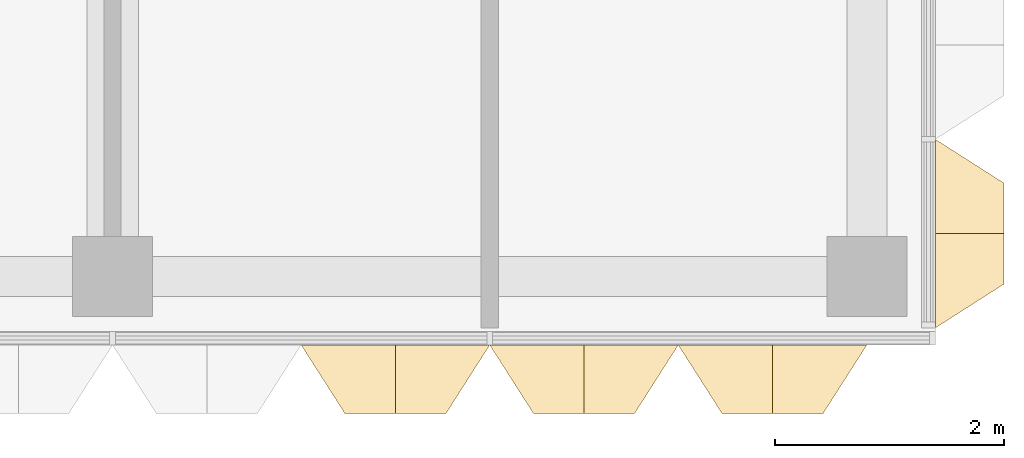
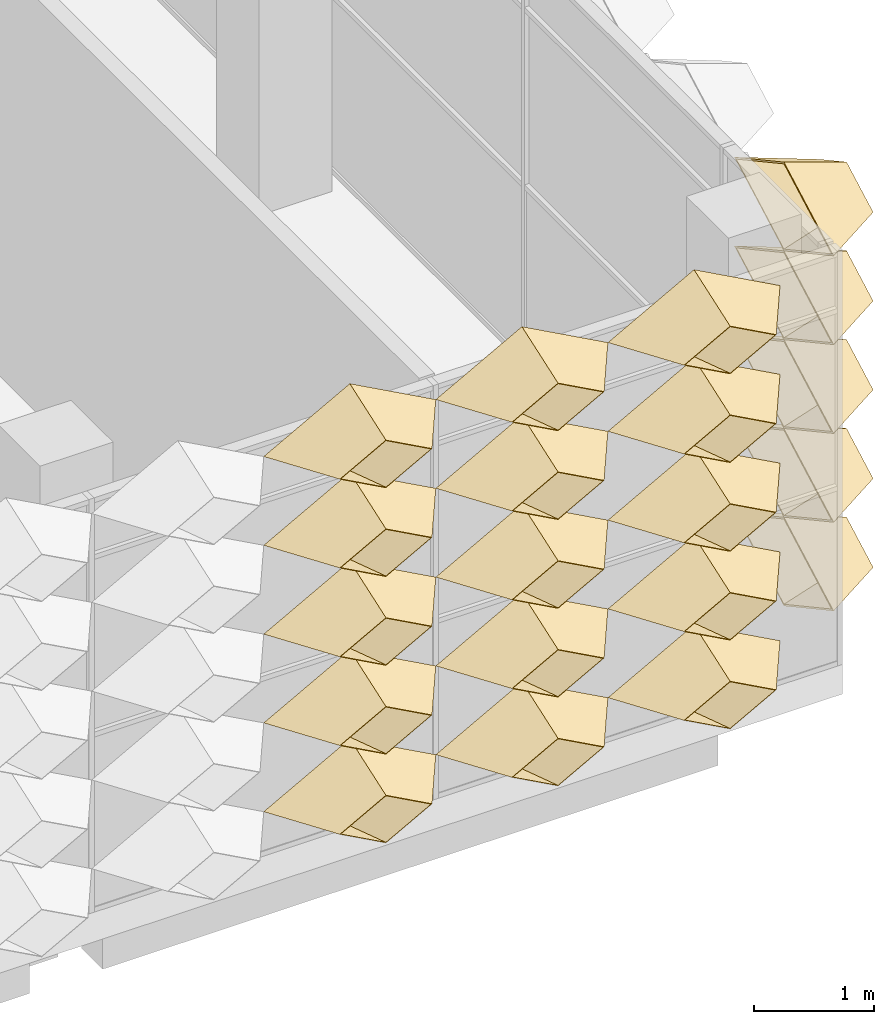
# One storey, part 16 of 28: 20 coverings.
"""IFC4 building model written with IfcOpenShell, lengths in metres."""

from ifc_helpers import new_model, entity, si_unit, direction, frame, origin, place, context, subcontext, project, spatial, material, layer, layer_set, type_object, element, save


model = new_model("IFC4")

# Units and contexts
model_context = context("Model", 3, precision=1e-05, world=origin(), true_north=direction((0.0, 1.0)))
body_context = subcontext(model_context, "Body", "Model", "MODEL_VIEW")
ifc_project = project(units=[si_unit("LENGTHUNIT", "METRE"), si_unit("AREAUNIT", "SQUARE_METRE"), si_unit("VOLUMEUNIT", "CUBIC_METRE"), si_unit("PLANEANGLEUNIT", "RADIAN"), si_unit("MASSUNIT", "GRAM", prefix="KILO")], contexts=[model_context])

# Site, building, storey
site_placement = place(None, origin())
site = spatial("IfcSite", under=ifc_project, at=site_placement, CompositionType="ELEMENT")
building_placement = place(site_placement, origin())
building = spatial("IfcBuilding", under=site, at=building_placement, Name="Lantern Court Research Institute", CompositionType="ELEMENT")
storey_placement = place(building_placement, frame((0.0, 0.0, 36.89990234375)))
storey = spatial("IfcBuildingStorey", under=building, at=storey_placement, Name="L08", CompositionType="ELEMENT", Elevation=36.89990234375)

# Coverings
ifc_material = material(Name="Anodised aluminium", Category="aluminium")
ifc_layer = layer(ifc_material, 0.01611328125)
ifc_layer_set = layer_set([ifc_layer], Name="Anodised aluminium")
covering_type = type_object("IfcCoveringType", Name="Fin cassette 1650 x 900 x 600 aluminium", PredefinedType="CLADDING", material=ifc_layer_set)
covering_1_placement = place(storey_placement, frame((79.800048828125, -7.425048828125, 0.4501953125), z_axis=(1.0, 0.0, 0.0), x_axis=(0.0, 1.0, 0.0)))
cartesian_point_1 = entity("IfcCartesianPoint", [0.824951171875, 0.0])
cartesian_point_2 = entity("IfcCartesianPoint", [0.79150390625, 0.0])
cartesian_point_3 = entity("IfcCartesianPoint", [0.44189453125, 0.0])
cartesian_point_4 = entity("IfcCartesianPoint", [0.43359375, 0.0])
element("IfcCovering", 1, at=covering_1_placement, inside=storey, type_object=covering_type, Name="Fin cassette V5E-L08 1.-4", PredefinedType="CLADDING", context=body_context, shape_type="SweptSolid", body=[
    entity("IfcExtrudedAreaSolidTapered", entity("IfcArbitraryProfileDefWithVoids", "AREA", None, entity("IfcPolyline", [cartesian_point_1, entity("IfcCartesianPoint", [0.0, 0.449951171875]), entity("IfcCartesianPoint", [-0.824951171875, 0.0]), entity("IfcCartesianPoint", [0.0, -0.449951171875]), cartesian_point_1]), [entity("IfcPolyline", [cartesian_point_2, entity("IfcCartesianPoint", [0.0, 0.431884765625]), entity("IfcCartesianPoint", [-0.79150390625, 0.0]), entity("IfcCartesianPoint", [0.0, -0.431884765625]), cartesian_point_2])]), entity("IfcAxis2Placement3D", entity("IfcCartesianPoint", [0.0, 0.0, 0.0])), entity("IfcDirection", [0.0, 0.0, 1.0]), 0.60009765625, entity("IfcArbitraryProfileDefWithVoids", "AREA", None, entity("IfcPolyline", [cartesian_point_3, entity("IfcCartesianPoint", [0.0, 0.240966796875]), entity("IfcCartesianPoint", [-0.44189453125, 0.0]), entity("IfcCartesianPoint", [0.0, -0.240966796875]), cartesian_point_3]), [entity("IfcPolyline", [cartesian_point_4, entity("IfcCartesianPoint", [0.0, 0.236572265625]), entity("IfcCartesianPoint", [-0.43359375, 0.0]), entity("IfcCartesianPoint", [0.0, -0.236572265625]), cartesian_point_4])])),
])
covering_2_placement = place(storey_placement, frame((79.800048828125, -7.425048828125, 1.35009765625), z_axis=(1.0, 0.0, 0.0), x_axis=(0.0, 1.0, 0.0)))
cartesian_point_5 = entity("IfcCartesianPoint", [0.824951171875, 0.0])
cartesian_point_6 = entity("IfcCartesianPoint", [0.79150390625, 0.0])
cartesian_point_7 = entity("IfcCartesianPoint", [0.44189453125, 0.0])
cartesian_point_8 = entity("IfcCartesianPoint", [0.43359375, 0.0])
element("IfcCovering", 2, at=covering_2_placement, inside=storey, type_object=covering_type, Name="Fin cassette V5E-L08 2.-4", PredefinedType="CLADDING", context=body_context, shape_type="SweptSolid", body=[
    entity("IfcExtrudedAreaSolidTapered", entity("IfcArbitraryProfileDefWithVoids", "AREA", None, entity("IfcPolyline", [cartesian_point_5, entity("IfcCartesianPoint", [0.0, 0.449951171875]), entity("IfcCartesianPoint", [-0.824951171875, 0.0]), entity("IfcCartesianPoint", [0.0, -0.449951171875]), cartesian_point_5]), [entity("IfcPolyline", [cartesian_point_6, entity("IfcCartesianPoint", [0.0, 0.431884765625]), entity("IfcCartesianPoint", [-0.79150390625, 0.0]), entity("IfcCartesianPoint", [0.0, -0.431884765625]), cartesian_point_6])]), entity("IfcAxis2Placement3D", entity("IfcCartesianPoint", [0.0, 0.0, 0.0])), entity("IfcDirection", [0.0, 0.0, 1.0]), 0.60009765625, entity("IfcArbitraryProfileDefWithVoids", "AREA", None, entity("IfcPolyline", [cartesian_point_7, entity("IfcCartesianPoint", [0.0, 0.240966796875]), entity("IfcCartesianPoint", [-0.44189453125, 0.0]), entity("IfcCartesianPoint", [0.0, -0.240966796875]), cartesian_point_7]), [entity("IfcPolyline", [cartesian_point_8, entity("IfcCartesianPoint", [0.0, 0.236572265625]), entity("IfcCartesianPoint", [-0.43359375, 0.0]), entity("IfcCartesianPoint", [0.0, -0.236572265625]), cartesian_point_8])])),
])
covering_3_placement = place(storey_placement, frame((79.800048828125, -7.425048828125, 2.25), z_axis=(1.0, 0.0, 0.0), x_axis=(0.0, 1.0, 0.0)))
cartesian_point_9 = entity("IfcCartesianPoint", [0.824951171875, 0.0])
cartesian_point_10 = entity("IfcCartesianPoint", [0.79150390625, 0.0])
cartesian_point_11 = entity("IfcCartesianPoint", [0.44189453125, 0.0])
cartesian_point_12 = entity("IfcCartesianPoint", [0.43359375, 0.0])
element("IfcCovering", 3, at=covering_3_placement, inside=storey, type_object=covering_type, Name="Fin cassette V5E-L08 3.-4", PredefinedType="CLADDING", context=body_context, shape_type="SweptSolid", body=[
    entity("IfcExtrudedAreaSolidTapered", entity("IfcArbitraryProfileDefWithVoids", "AREA", None, entity("IfcPolyline", [cartesian_point_9, entity("IfcCartesianPoint", [0.0, 0.449951171875]), entity("IfcCartesianPoint", [-0.824951171875, 0.0]), entity("IfcCartesianPoint", [0.0, -0.449951171875]), cartesian_point_9]), [entity("IfcPolyline", [cartesian_point_10, entity("IfcCartesianPoint", [0.0, 0.431884765625]), entity("IfcCartesianPoint", [-0.79150390625, 0.0]), entity("IfcCartesianPoint", [0.0, -0.431884765625]), cartesian_point_10])]), entity("IfcAxis2Placement3D", entity("IfcCartesianPoint", [0.0, 0.0, 0.0])), entity("IfcDirection", [0.0, 0.0, 1.0]), 0.60009765625, entity("IfcArbitraryProfileDefWithVoids", "AREA", None, entity("IfcPolyline", [cartesian_point_11, entity("IfcCartesianPoint", [0.0, 0.240966796875]), entity("IfcCartesianPoint", [-0.44189453125, 0.0]), entity("IfcCartesianPoint", [0.0, -0.240966796875]), cartesian_point_11]), [entity("IfcPolyline", [cartesian_point_12, entity("IfcCartesianPoint", [0.0, 0.236572265625]), entity("IfcCartesianPoint", [-0.43359375, 0.0]), entity("IfcCartesianPoint", [0.0, -0.236572265625]), cartesian_point_12])])),
])
covering_4_placement = place(storey_placement, frame((79.800048828125, -7.425048828125, 3.150146484375), z_axis=(1.0, 0.0, 0.0), x_axis=(0.0, 1.0, 0.0)))
cartesian_point_13 = entity("IfcCartesianPoint", [0.824951171875, 0.0])
cartesian_point_14 = entity("IfcCartesianPoint", [0.79150390625, 0.0])
cartesian_point_15 = entity("IfcCartesianPoint", [0.44189453125, 0.0])
cartesian_point_16 = entity("IfcCartesianPoint", [0.43359375, 0.0])
element("IfcCovering", 4, at=covering_4_placement, inside=storey, type_object=covering_type, Name="Fin cassette V5E-L08 4.-4", PredefinedType="CLADDING", context=body_context, shape_type="SweptSolid", body=[
    entity("IfcExtrudedAreaSolidTapered", entity("IfcArbitraryProfileDefWithVoids", "AREA", None, entity("IfcPolyline", [cartesian_point_13, entity("IfcCartesianPoint", [0.0, 0.449951171875]), entity("IfcCartesianPoint", [-0.824951171875, 0.0]), entity("IfcCartesianPoint", [0.0, -0.449951171875]), cartesian_point_13]), [entity("IfcPolyline", [cartesian_point_14, entity("IfcCartesianPoint", [0.0, 0.431884765625]), entity("IfcCartesianPoint", [-0.79150390625, 0.0]), entity("IfcCartesianPoint", [0.0, -0.431884765625]), cartesian_point_14])]), entity("IfcAxis2Placement3D", entity("IfcCartesianPoint", [0.0, 0.0, 0.0])), entity("IfcDirection", [0.0, 0.0, 1.0]), 0.60009765625, entity("IfcArbitraryProfileDefWithVoids", "AREA", None, entity("IfcPolyline", [cartesian_point_15, entity("IfcCartesianPoint", [0.0, 0.240966796875]), entity("IfcCartesianPoint", [-0.44189453125, 0.0]), entity("IfcCartesianPoint", [0.0, -0.240966796875]), cartesian_point_15]), [entity("IfcPolyline", [cartesian_point_16, entity("IfcCartesianPoint", [0.0, 0.236572265625]), entity("IfcCartesianPoint", [-0.43359375, 0.0]), entity("IfcCartesianPoint", [0.0, -0.236572265625]), cartesian_point_16])])),
])
covering_5_placement = place(storey_placement, frame((79.800048828125, -7.425048828125, 4.050048828125), z_axis=(1.0, 0.0, 0.0), x_axis=(0.0, 1.0, 0.0)))
cartesian_point_17 = entity("IfcCartesianPoint", [0.824951171875, 0.0])
cartesian_point_18 = entity("IfcCartesianPoint", [0.79150390625, 0.0])
cartesian_point_19 = entity("IfcCartesianPoint", [0.44189453125, 0.0])
cartesian_point_20 = entity("IfcCartesianPoint", [0.43359375, 0.0])
element("IfcCovering", 5, at=covering_5_placement, inside=storey, type_object=covering_type, Name="Fin cassette V5E-L08 5.-4", PredefinedType="CLADDING", context=body_context, shape_type="SweptSolid", body=[
    entity("IfcExtrudedAreaSolidTapered", entity("IfcArbitraryProfileDefWithVoids", "AREA", None, entity("IfcPolyline", [cartesian_point_17, entity("IfcCartesianPoint", [0.0, 0.449951171875]), entity("IfcCartesianPoint", [-0.824951171875, 0.0]), entity("IfcCartesianPoint", [0.0, -0.449951171875]), cartesian_point_17]), [entity("IfcPolyline", [cartesian_point_18, entity("IfcCartesianPoint", [0.0, 0.431884765625]), entity("IfcCartesianPoint", [-0.79150390625, 0.0]), entity("IfcCartesianPoint", [0.0, -0.431884765625]), cartesian_point_18])]), entity("IfcAxis2Placement3D", entity("IfcCartesianPoint", [0.0, 0.0, 0.0])), entity("IfcDirection", [0.0, 0.0, 1.0]), 0.60009765625, entity("IfcArbitraryProfileDefWithVoids", "AREA", None, entity("IfcPolyline", [cartesian_point_19, entity("IfcCartesianPoint", [0.0, 0.240966796875]), entity("IfcCartesianPoint", [-0.44189453125, 0.0]), entity("IfcCartesianPoint", [0.0, -0.240966796875]), cartesian_point_19]), [entity("IfcPolyline", [cartesian_point_20, entity("IfcCartesianPoint", [0.0, 0.236572265625]), entity("IfcCartesianPoint", [-0.43359375, 0.0]), entity("IfcCartesianPoint", [0.0, -0.236572265625]), cartesian_point_20])])),
])
covering_6_placement = place(storey_placement, frame((75.074951171875, -8.39990234375, 0.4501953125), z_axis=(0.0, -1.0, 0.0), x_axis=(1.0, 0.0, 0.0)))
cartesian_point_21 = entity("IfcCartesianPoint", [0.824951171875, 0.0])
cartesian_point_22 = entity("IfcCartesianPoint", [0.79150390625, 0.0])
cartesian_point_23 = entity("IfcCartesianPoint", [0.44189453125, 0.0])
cartesian_point_24 = entity("IfcCartesianPoint", [0.43359375, 0.0])
element("IfcCovering", 6, at=covering_6_placement, inside=storey, type_object=covering_type, Name="Fin cassette V5S-L08 1.46", PredefinedType="CLADDING", context=body_context, shape_type="SweptSolid", body=[
    entity("IfcExtrudedAreaSolidTapered", entity("IfcArbitraryProfileDefWithVoids", "AREA", None, entity("IfcPolyline", [cartesian_point_21, entity("IfcCartesianPoint", [0.0, 0.449951171875]), entity("IfcCartesianPoint", [-0.824951171875, 0.0]), entity("IfcCartesianPoint", [0.0, -0.449951171875]), cartesian_point_21]), [entity("IfcPolyline", [cartesian_point_22, entity("IfcCartesianPoint", [0.0, 0.431884765625]), entity("IfcCartesianPoint", [-0.79150390625, 0.0]), entity("IfcCartesianPoint", [0.0, -0.431884765625]), cartesian_point_22])]), entity("IfcAxis2Placement3D", entity("IfcCartesianPoint", [0.0, 0.0, 0.0])), entity("IfcDirection", [0.0, 0.0, 1.0]), 0.60009765625, entity("IfcArbitraryProfileDefWithVoids", "AREA", None, entity("IfcPolyline", [cartesian_point_23, entity("IfcCartesianPoint", [0.0, 0.240966796875]), entity("IfcCartesianPoint", [-0.44189453125, 0.0]), entity("IfcCartesianPoint", [0.0, -0.240966796875]), cartesian_point_23]), [entity("IfcPolyline", [cartesian_point_24, entity("IfcCartesianPoint", [0.0, 0.236572265625]), entity("IfcCartesianPoint", [-0.43359375, 0.0]), entity("IfcCartesianPoint", [0.0, -0.236572265625]), cartesian_point_24])])),
])
covering_7_placement = place(storey_placement, frame((76.72509765625, -8.39990234375, 0.4501953125), z_axis=(0.0, -1.0, 0.0), x_axis=(1.0, 0.0, 0.0)))
cartesian_point_25 = entity("IfcCartesianPoint", [0.824951171875, 0.0])
cartesian_point_26 = entity("IfcCartesianPoint", [0.79150390625, 0.0])
cartesian_point_27 = entity("IfcCartesianPoint", [0.44189453125, 0.0])
cartesian_point_28 = entity("IfcCartesianPoint", [0.43359375, 0.0])
element("IfcCovering", 7, at=covering_7_placement, inside=storey, type_object=covering_type, Name="Fin cassette V5S-L08 1.47", PredefinedType="CLADDING", context=body_context, shape_type="SweptSolid", body=[
    entity("IfcExtrudedAreaSolidTapered", entity("IfcArbitraryProfileDefWithVoids", "AREA", None, entity("IfcPolyline", [cartesian_point_25, entity("IfcCartesianPoint", [0.0, 0.449951171875]), entity("IfcCartesianPoint", [-0.824951171875, 0.0]), entity("IfcCartesianPoint", [0.0, -0.449951171875]), cartesian_point_25]), [entity("IfcPolyline", [cartesian_point_26, entity("IfcCartesianPoint", [0.0, 0.431884765625]), entity("IfcCartesianPoint", [-0.79150390625, 0.0]), entity("IfcCartesianPoint", [0.0, -0.431884765625]), cartesian_point_26])]), entity("IfcAxis2Placement3D", entity("IfcCartesianPoint", [0.0, 0.0, 0.0])), entity("IfcDirection", [0.0, 0.0, 1.0]), 0.60009765625, entity("IfcArbitraryProfileDefWithVoids", "AREA", None, entity("IfcPolyline", [cartesian_point_27, entity("IfcCartesianPoint", [0.0, 0.240966796875]), entity("IfcCartesianPoint", [-0.44189453125, 0.0]), entity("IfcCartesianPoint", [0.0, -0.240966796875]), cartesian_point_27]), [entity("IfcPolyline", [cartesian_point_28, entity("IfcCartesianPoint", [0.0, 0.236572265625]), entity("IfcCartesianPoint", [-0.43359375, 0.0]), entity("IfcCartesianPoint", [0.0, -0.236572265625]), cartesian_point_28])])),
])
covering_8_placement = place(storey_placement, frame((78.375, -8.39990234375, 0.4501953125), z_axis=(0.0, -1.0, 0.0), x_axis=(1.0, 0.0, 0.0)))
cartesian_point_29 = entity("IfcCartesianPoint", [0.824951171875, 0.0])
cartesian_point_30 = entity("IfcCartesianPoint", [0.79150390625, 0.0])
cartesian_point_31 = entity("IfcCartesianPoint", [0.44189453125, 0.0])
cartesian_point_32 = entity("IfcCartesianPoint", [0.43359375, 0.0])
element("IfcCovering", 8, at=covering_8_placement, inside=storey, type_object=covering_type, Name="Fin cassette V5S-L08 1.48", PredefinedType="CLADDING", context=body_context, shape_type="SweptSolid", body=[
    entity("IfcExtrudedAreaSolidTapered", entity("IfcArbitraryProfileDefWithVoids", "AREA", None, entity("IfcPolyline", [cartesian_point_29, entity("IfcCartesianPoint", [0.0, 0.449951171875]), entity("IfcCartesianPoint", [-0.824951171875, 0.0]), entity("IfcCartesianPoint", [0.0, -0.449951171875]), cartesian_point_29]), [entity("IfcPolyline", [cartesian_point_30, entity("IfcCartesianPoint", [0.0, 0.431884765625]), entity("IfcCartesianPoint", [-0.79150390625, 0.0]), entity("IfcCartesianPoint", [0.0, -0.431884765625]), cartesian_point_30])]), entity("IfcAxis2Placement3D", entity("IfcCartesianPoint", [0.0, 0.0, 0.0])), entity("IfcDirection", [0.0, 0.0, 1.0]), 0.60009765625, entity("IfcArbitraryProfileDefWithVoids", "AREA", None, entity("IfcPolyline", [cartesian_point_31, entity("IfcCartesianPoint", [0.0, 0.240966796875]), entity("IfcCartesianPoint", [-0.44189453125, 0.0]), entity("IfcCartesianPoint", [0.0, -0.240966796875]), cartesian_point_31]), [entity("IfcPolyline", [cartesian_point_32, entity("IfcCartesianPoint", [0.0, 0.236572265625]), entity("IfcCartesianPoint", [-0.43359375, 0.0]), entity("IfcCartesianPoint", [0.0, -0.236572265625]), cartesian_point_32])])),
])
covering_9_placement = place(storey_placement, frame((75.074951171875, -8.39990234375, 1.35009765625), z_axis=(0.0, -1.0, 0.0), x_axis=(1.0, 0.0, 0.0)))
cartesian_point_33 = entity("IfcCartesianPoint", [0.824951171875, 0.0])
cartesian_point_34 = entity("IfcCartesianPoint", [0.79150390625, 0.0])
cartesian_point_35 = entity("IfcCartesianPoint", [0.44189453125, 0.0])
cartesian_point_36 = entity("IfcCartesianPoint", [0.43359375, 0.0])
element("IfcCovering", 9, at=covering_9_placement, inside=storey, type_object=covering_type, Name="Fin cassette V5S-L08 2.46", PredefinedType="CLADDING", context=body_context, shape_type="SweptSolid", body=[
    entity("IfcExtrudedAreaSolidTapered", entity("IfcArbitraryProfileDefWithVoids", "AREA", None, entity("IfcPolyline", [cartesian_point_33, entity("IfcCartesianPoint", [0.0, 0.449951171875]), entity("IfcCartesianPoint", [-0.824951171875, 0.0]), entity("IfcCartesianPoint", [0.0, -0.449951171875]), cartesian_point_33]), [entity("IfcPolyline", [cartesian_point_34, entity("IfcCartesianPoint", [0.0, 0.431884765625]), entity("IfcCartesianPoint", [-0.79150390625, 0.0]), entity("IfcCartesianPoint", [0.0, -0.431884765625]), cartesian_point_34])]), entity("IfcAxis2Placement3D", entity("IfcCartesianPoint", [0.0, 0.0, 0.0])), entity("IfcDirection", [0.0, 0.0, 1.0]), 0.60009765625, entity("IfcArbitraryProfileDefWithVoids", "AREA", None, entity("IfcPolyline", [cartesian_point_35, entity("IfcCartesianPoint", [0.0, 0.240966796875]), entity("IfcCartesianPoint", [-0.44189453125, 0.0]), entity("IfcCartesianPoint", [0.0, -0.240966796875]), cartesian_point_35]), [entity("IfcPolyline", [cartesian_point_36, entity("IfcCartesianPoint", [0.0, 0.236572265625]), entity("IfcCartesianPoint", [-0.43359375, 0.0]), entity("IfcCartesianPoint", [0.0, -0.236572265625]), cartesian_point_36])])),
])
covering_10_placement = place(storey_placement, frame((76.72509765625, -8.39990234375, 1.35009765625), z_axis=(0.0, -1.0, 0.0), x_axis=(1.0, 0.0, 0.0)))
cartesian_point_37 = entity("IfcCartesianPoint", [0.824951171875, 0.0])
cartesian_point_38 = entity("IfcCartesianPoint", [0.79150390625, 0.0])
cartesian_point_39 = entity("IfcCartesianPoint", [0.44189453125, 0.0])
cartesian_point_40 = entity("IfcCartesianPoint", [0.43359375, 0.0])
element("IfcCovering", 10, at=covering_10_placement, inside=storey, type_object=covering_type, Name="Fin cassette V5S-L08 2.47", PredefinedType="CLADDING", context=body_context, shape_type="SweptSolid", body=[
    entity("IfcExtrudedAreaSolidTapered", entity("IfcArbitraryProfileDefWithVoids", "AREA", None, entity("IfcPolyline", [cartesian_point_37, entity("IfcCartesianPoint", [0.0, 0.449951171875]), entity("IfcCartesianPoint", [-0.824951171875, 0.0]), entity("IfcCartesianPoint", [0.0, -0.449951171875]), cartesian_point_37]), [entity("IfcPolyline", [cartesian_point_38, entity("IfcCartesianPoint", [0.0, 0.431884765625]), entity("IfcCartesianPoint", [-0.79150390625, 0.0]), entity("IfcCartesianPoint", [0.0, -0.431884765625]), cartesian_point_38])]), entity("IfcAxis2Placement3D", entity("IfcCartesianPoint", [0.0, 0.0, 0.0])), entity("IfcDirection", [0.0, 0.0, 1.0]), 0.60009765625, entity("IfcArbitraryProfileDefWithVoids", "AREA", None, entity("IfcPolyline", [cartesian_point_39, entity("IfcCartesianPoint", [0.0, 0.240966796875]), entity("IfcCartesianPoint", [-0.44189453125, 0.0]), entity("IfcCartesianPoint", [0.0, -0.240966796875]), cartesian_point_39]), [entity("IfcPolyline", [cartesian_point_40, entity("IfcCartesianPoint", [0.0, 0.236572265625]), entity("IfcCartesianPoint", [-0.43359375, 0.0]), entity("IfcCartesianPoint", [0.0, -0.236572265625]), cartesian_point_40])])),
])
covering_11_placement = place(storey_placement, frame((78.375, -8.39990234375, 1.35009765625), z_axis=(0.0, -1.0, 0.0), x_axis=(1.0, 0.0, 0.0)))
cartesian_point_41 = entity("IfcCartesianPoint", [0.824951171875, 0.0])
cartesian_point_42 = entity("IfcCartesianPoint", [0.79150390625, 0.0])
cartesian_point_43 = entity("IfcCartesianPoint", [0.44189453125, 0.0])
cartesian_point_44 = entity("IfcCartesianPoint", [0.43359375, 0.0])
element("IfcCovering", 11, at=covering_11_placement, inside=storey, type_object=covering_type, Name="Fin cassette V5S-L08 2.48", PredefinedType="CLADDING", context=body_context, shape_type="SweptSolid", body=[
    entity("IfcExtrudedAreaSolidTapered", entity("IfcArbitraryProfileDefWithVoids", "AREA", None, entity("IfcPolyline", [cartesian_point_41, entity("IfcCartesianPoint", [0.0, 0.449951171875]), entity("IfcCartesianPoint", [-0.824951171875, 0.0]), entity("IfcCartesianPoint", [0.0, -0.449951171875]), cartesian_point_41]), [entity("IfcPolyline", [cartesian_point_42, entity("IfcCartesianPoint", [0.0, 0.431884765625]), entity("IfcCartesianPoint", [-0.79150390625, 0.0]), entity("IfcCartesianPoint", [0.0, -0.431884765625]), cartesian_point_42])]), entity("IfcAxis2Placement3D", entity("IfcCartesianPoint", [0.0, 0.0, 0.0])), entity("IfcDirection", [0.0, 0.0, 1.0]), 0.60009765625, entity("IfcArbitraryProfileDefWithVoids", "AREA", None, entity("IfcPolyline", [cartesian_point_43, entity("IfcCartesianPoint", [0.0, 0.240966796875]), entity("IfcCartesianPoint", [-0.44189453125, 0.0]), entity("IfcCartesianPoint", [0.0, -0.240966796875]), cartesian_point_43]), [entity("IfcPolyline", [cartesian_point_44, entity("IfcCartesianPoint", [0.0, 0.236572265625]), entity("IfcCartesianPoint", [-0.43359375, 0.0]), entity("IfcCartesianPoint", [0.0, -0.236572265625]), cartesian_point_44])])),
])
covering_12_placement = place(storey_placement, frame((75.074951171875, -8.39990234375, 2.25), z_axis=(0.0, -1.0, 0.0), x_axis=(1.0, 0.0, 0.0)))
cartesian_point_45 = entity("IfcCartesianPoint", [0.824951171875, 0.0])
cartesian_point_46 = entity("IfcCartesianPoint", [0.79150390625, 0.0])
cartesian_point_47 = entity("IfcCartesianPoint", [0.44189453125, 0.0])
cartesian_point_48 = entity("IfcCartesianPoint", [0.43359375, 0.0])
element("IfcCovering", 12, at=covering_12_placement, inside=storey, type_object=covering_type, Name="Fin cassette V5S-L08 3.46", PredefinedType="CLADDING", context=body_context, shape_type="SweptSolid", body=[
    entity("IfcExtrudedAreaSolidTapered", entity("IfcArbitraryProfileDefWithVoids", "AREA", None, entity("IfcPolyline", [cartesian_point_45, entity("IfcCartesianPoint", [0.0, 0.449951171875]), entity("IfcCartesianPoint", [-0.824951171875, 0.0]), entity("IfcCartesianPoint", [0.0, -0.449951171875]), cartesian_point_45]), [entity("IfcPolyline", [cartesian_point_46, entity("IfcCartesianPoint", [0.0, 0.431884765625]), entity("IfcCartesianPoint", [-0.79150390625, 0.0]), entity("IfcCartesianPoint", [0.0, -0.431884765625]), cartesian_point_46])]), entity("IfcAxis2Placement3D", entity("IfcCartesianPoint", [0.0, 0.0, 0.0])), entity("IfcDirection", [0.0, 0.0, 1.0]), 0.60009765625, entity("IfcArbitraryProfileDefWithVoids", "AREA", None, entity("IfcPolyline", [cartesian_point_47, entity("IfcCartesianPoint", [0.0, 0.240966796875]), entity("IfcCartesianPoint", [-0.44189453125, 0.0]), entity("IfcCartesianPoint", [0.0, -0.240966796875]), cartesian_point_47]), [entity("IfcPolyline", [cartesian_point_48, entity("IfcCartesianPoint", [0.0, 0.236572265625]), entity("IfcCartesianPoint", [-0.43359375, 0.0]), entity("IfcCartesianPoint", [0.0, -0.236572265625]), cartesian_point_48])])),
])
covering_13_placement = place(storey_placement, frame((76.72509765625, -8.39990234375, 2.25), z_axis=(0.0, -1.0, 0.0), x_axis=(1.0, 0.0, 0.0)))
cartesian_point_49 = entity("IfcCartesianPoint", [0.824951171875, 0.0])
cartesian_point_50 = entity("IfcCartesianPoint", [0.79150390625, 0.0])
cartesian_point_51 = entity("IfcCartesianPoint", [0.44189453125, 0.0])
cartesian_point_52 = entity("IfcCartesianPoint", [0.43359375, 0.0])
element("IfcCovering", 13, at=covering_13_placement, inside=storey, type_object=covering_type, Name="Fin cassette V5S-L08 3.47", PredefinedType="CLADDING", context=body_context, shape_type="SweptSolid", body=[
    entity("IfcExtrudedAreaSolidTapered", entity("IfcArbitraryProfileDefWithVoids", "AREA", None, entity("IfcPolyline", [cartesian_point_49, entity("IfcCartesianPoint", [0.0, 0.449951171875]), entity("IfcCartesianPoint", [-0.824951171875, 0.0]), entity("IfcCartesianPoint", [0.0, -0.449951171875]), cartesian_point_49]), [entity("IfcPolyline", [cartesian_point_50, entity("IfcCartesianPoint", [0.0, 0.431884765625]), entity("IfcCartesianPoint", [-0.79150390625, 0.0]), entity("IfcCartesianPoint", [0.0, -0.431884765625]), cartesian_point_50])]), entity("IfcAxis2Placement3D", entity("IfcCartesianPoint", [0.0, 0.0, 0.0])), entity("IfcDirection", [0.0, 0.0, 1.0]), 0.60009765625, entity("IfcArbitraryProfileDefWithVoids", "AREA", None, entity("IfcPolyline", [cartesian_point_51, entity("IfcCartesianPoint", [0.0, 0.240966796875]), entity("IfcCartesianPoint", [-0.44189453125, 0.0]), entity("IfcCartesianPoint", [0.0, -0.240966796875]), cartesian_point_51]), [entity("IfcPolyline", [cartesian_point_52, entity("IfcCartesianPoint", [0.0, 0.236572265625]), entity("IfcCartesianPoint", [-0.43359375, 0.0]), entity("IfcCartesianPoint", [0.0, -0.236572265625]), cartesian_point_52])])),
])
covering_14_placement = place(storey_placement, frame((78.375, -8.39990234375, 2.25), z_axis=(0.0, -1.0, 0.0), x_axis=(1.0, 0.0, 0.0)))
cartesian_point_53 = entity("IfcCartesianPoint", [0.824951171875, 0.0])
cartesian_point_54 = entity("IfcCartesianPoint", [0.79150390625, 0.0])
cartesian_point_55 = entity("IfcCartesianPoint", [0.44189453125, 0.0])
cartesian_point_56 = entity("IfcCartesianPoint", [0.43359375, 0.0])
element("IfcCovering", 14, at=covering_14_placement, inside=storey, type_object=covering_type, Name="Fin cassette V5S-L08 3.48", PredefinedType="CLADDING", context=body_context, shape_type="SweptSolid", body=[
    entity("IfcExtrudedAreaSolidTapered", entity("IfcArbitraryProfileDefWithVoids", "AREA", None, entity("IfcPolyline", [cartesian_point_53, entity("IfcCartesianPoint", [0.0, 0.449951171875]), entity("IfcCartesianPoint", [-0.824951171875, 0.0]), entity("IfcCartesianPoint", [0.0, -0.449951171875]), cartesian_point_53]), [entity("IfcPolyline", [cartesian_point_54, entity("IfcCartesianPoint", [0.0, 0.431884765625]), entity("IfcCartesianPoint", [-0.79150390625, 0.0]), entity("IfcCartesianPoint", [0.0, -0.431884765625]), cartesian_point_54])]), entity("IfcAxis2Placement3D", entity("IfcCartesianPoint", [0.0, 0.0, 0.0])), entity("IfcDirection", [0.0, 0.0, 1.0]), 0.60009765625, entity("IfcArbitraryProfileDefWithVoids", "AREA", None, entity("IfcPolyline", [cartesian_point_55, entity("IfcCartesianPoint", [0.0, 0.240966796875]), entity("IfcCartesianPoint", [-0.44189453125, 0.0]), entity("IfcCartesianPoint", [0.0, -0.240966796875]), cartesian_point_55]), [entity("IfcPolyline", [cartesian_point_56, entity("IfcCartesianPoint", [0.0, 0.236572265625]), entity("IfcCartesianPoint", [-0.43359375, 0.0]), entity("IfcCartesianPoint", [0.0, -0.236572265625]), cartesian_point_56])])),
])
covering_15_placement = place(storey_placement, frame((75.074951171875, -8.39990234375, 3.150146484375), z_axis=(0.0, -1.0, 0.0), x_axis=(1.0, 0.0, 0.0)))
cartesian_point_57 = entity("IfcCartesianPoint", [0.824951171875, 0.0])
cartesian_point_58 = entity("IfcCartesianPoint", [0.79150390625, 0.0])
cartesian_point_59 = entity("IfcCartesianPoint", [0.44189453125, 0.0])
cartesian_point_60 = entity("IfcCartesianPoint", [0.43359375, 0.0])
element("IfcCovering", 15, at=covering_15_placement, inside=storey, type_object=covering_type, Name="Fin cassette V5S-L08 4.46", PredefinedType="CLADDING", context=body_context, shape_type="SweptSolid", body=[
    entity("IfcExtrudedAreaSolidTapered", entity("IfcArbitraryProfileDefWithVoids", "AREA", None, entity("IfcPolyline", [cartesian_point_57, entity("IfcCartesianPoint", [0.0, 0.449951171875]), entity("IfcCartesianPoint", [-0.824951171875, 0.0]), entity("IfcCartesianPoint", [0.0, -0.449951171875]), cartesian_point_57]), [entity("IfcPolyline", [cartesian_point_58, entity("IfcCartesianPoint", [0.0, 0.431884765625]), entity("IfcCartesianPoint", [-0.79150390625, 0.0]), entity("IfcCartesianPoint", [0.0, -0.431884765625]), cartesian_point_58])]), entity("IfcAxis2Placement3D", entity("IfcCartesianPoint", [0.0, 0.0, 0.0])), entity("IfcDirection", [0.0, 0.0, 1.0]), 0.60009765625, entity("IfcArbitraryProfileDefWithVoids", "AREA", None, entity("IfcPolyline", [cartesian_point_59, entity("IfcCartesianPoint", [0.0, 0.240966796875]), entity("IfcCartesianPoint", [-0.44189453125, 0.0]), entity("IfcCartesianPoint", [0.0, -0.240966796875]), cartesian_point_59]), [entity("IfcPolyline", [cartesian_point_60, entity("IfcCartesianPoint", [0.0, 0.236572265625]), entity("IfcCartesianPoint", [-0.43359375, 0.0]), entity("IfcCartesianPoint", [0.0, -0.236572265625]), cartesian_point_60])])),
])
covering_16_placement = place(storey_placement, frame((76.72509765625, -8.39990234375, 3.150146484375), z_axis=(0.0, -1.0, 0.0), x_axis=(1.0, 0.0, 0.0)))
cartesian_point_61 = entity("IfcCartesianPoint", [0.824951171875, 0.0])
cartesian_point_62 = entity("IfcCartesianPoint", [0.79150390625, 0.0])
cartesian_point_63 = entity("IfcCartesianPoint", [0.44189453125, 0.0])
cartesian_point_64 = entity("IfcCartesianPoint", [0.43359375, 0.0])
element("IfcCovering", 16, at=covering_16_placement, inside=storey, type_object=covering_type, Name="Fin cassette V5S-L08 4.47", PredefinedType="CLADDING", context=body_context, shape_type="SweptSolid", body=[
    entity("IfcExtrudedAreaSolidTapered", entity("IfcArbitraryProfileDefWithVoids", "AREA", None, entity("IfcPolyline", [cartesian_point_61, entity("IfcCartesianPoint", [0.0, 0.449951171875]), entity("IfcCartesianPoint", [-0.824951171875, 0.0]), entity("IfcCartesianPoint", [0.0, -0.449951171875]), cartesian_point_61]), [entity("IfcPolyline", [cartesian_point_62, entity("IfcCartesianPoint", [0.0, 0.431884765625]), entity("IfcCartesianPoint", [-0.79150390625, 0.0]), entity("IfcCartesianPoint", [0.0, -0.431884765625]), cartesian_point_62])]), entity("IfcAxis2Placement3D", entity("IfcCartesianPoint", [0.0, 0.0, 0.0])), entity("IfcDirection", [0.0, 0.0, 1.0]), 0.60009765625, entity("IfcArbitraryProfileDefWithVoids", "AREA", None, entity("IfcPolyline", [cartesian_point_63, entity("IfcCartesianPoint", [0.0, 0.240966796875]), entity("IfcCartesianPoint", [-0.44189453125, 0.0]), entity("IfcCartesianPoint", [0.0, -0.240966796875]), cartesian_point_63]), [entity("IfcPolyline", [cartesian_point_64, entity("IfcCartesianPoint", [0.0, 0.236572265625]), entity("IfcCartesianPoint", [-0.43359375, 0.0]), entity("IfcCartesianPoint", [0.0, -0.236572265625]), cartesian_point_64])])),
])
covering_17_placement = place(storey_placement, frame((78.375, -8.39990234375, 3.150146484375), z_axis=(0.0, -1.0, 0.0), x_axis=(1.0, 0.0, 0.0)))
cartesian_point_65 = entity("IfcCartesianPoint", [0.824951171875, 0.0])
cartesian_point_66 = entity("IfcCartesianPoint", [0.79150390625, 0.0])
cartesian_point_67 = entity("IfcCartesianPoint", [0.44189453125, 0.0])
cartesian_point_68 = entity("IfcCartesianPoint", [0.43359375, 0.0])
element("IfcCovering", 17, at=covering_17_placement, inside=storey, type_object=covering_type, Name="Fin cassette V5S-L08 4.48", PredefinedType="CLADDING", context=body_context, shape_type="SweptSolid", body=[
    entity("IfcExtrudedAreaSolidTapered", entity("IfcArbitraryProfileDefWithVoids", "AREA", None, entity("IfcPolyline", [cartesian_point_65, entity("IfcCartesianPoint", [0.0, 0.449951171875]), entity("IfcCartesianPoint", [-0.824951171875, 0.0]), entity("IfcCartesianPoint", [0.0, -0.449951171875]), cartesian_point_65]), [entity("IfcPolyline", [cartesian_point_66, entity("IfcCartesianPoint", [0.0, 0.431884765625]), entity("IfcCartesianPoint", [-0.79150390625, 0.0]), entity("IfcCartesianPoint", [0.0, -0.431884765625]), cartesian_point_66])]), entity("IfcAxis2Placement3D", entity("IfcCartesianPoint", [0.0, 0.0, 0.0])), entity("IfcDirection", [0.0, 0.0, 1.0]), 0.60009765625, entity("IfcArbitraryProfileDefWithVoids", "AREA", None, entity("IfcPolyline", [cartesian_point_67, entity("IfcCartesianPoint", [0.0, 0.240966796875]), entity("IfcCartesianPoint", [-0.44189453125, 0.0]), entity("IfcCartesianPoint", [0.0, -0.240966796875]), cartesian_point_67]), [entity("IfcPolyline", [cartesian_point_68, entity("IfcCartesianPoint", [0.0, 0.236572265625]), entity("IfcCartesianPoint", [-0.43359375, 0.0]), entity("IfcCartesianPoint", [0.0, -0.236572265625]), cartesian_point_68])])),
])
covering_18_placement = place(storey_placement, frame((75.074951171875, -8.39990234375, 4.050048828125), z_axis=(0.0, -1.0, 0.0), x_axis=(1.0, 0.0, 0.0)))
cartesian_point_69 = entity("IfcCartesianPoint", [0.824951171875, 0.0])
cartesian_point_70 = entity("IfcCartesianPoint", [0.79150390625, 0.0])
cartesian_point_71 = entity("IfcCartesianPoint", [0.44189453125, 0.0])
cartesian_point_72 = entity("IfcCartesianPoint", [0.43359375, 0.0])
element("IfcCovering", 18, at=covering_18_placement, inside=storey, type_object=covering_type, Name="Fin cassette V5S-L08 5.46", PredefinedType="CLADDING", context=body_context, shape_type="SweptSolid", body=[
    entity("IfcExtrudedAreaSolidTapered", entity("IfcArbitraryProfileDefWithVoids", "AREA", None, entity("IfcPolyline", [cartesian_point_69, entity("IfcCartesianPoint", [0.0, 0.449951171875]), entity("IfcCartesianPoint", [-0.824951171875, 0.0]), entity("IfcCartesianPoint", [0.0, -0.449951171875]), cartesian_point_69]), [entity("IfcPolyline", [cartesian_point_70, entity("IfcCartesianPoint", [0.0, 0.431884765625]), entity("IfcCartesianPoint", [-0.79150390625, 0.0]), entity("IfcCartesianPoint", [0.0, -0.431884765625]), cartesian_point_70])]), entity("IfcAxis2Placement3D", entity("IfcCartesianPoint", [0.0, 0.0, 0.0])), entity("IfcDirection", [0.0, 0.0, 1.0]), 0.60009765625, entity("IfcArbitraryProfileDefWithVoids", "AREA", None, entity("IfcPolyline", [cartesian_point_71, entity("IfcCartesianPoint", [0.0, 0.240966796875]), entity("IfcCartesianPoint", [-0.44189453125, 0.0]), entity("IfcCartesianPoint", [0.0, -0.240966796875]), cartesian_point_71]), [entity("IfcPolyline", [cartesian_point_72, entity("IfcCartesianPoint", [0.0, 0.236572265625]), entity("IfcCartesianPoint", [-0.43359375, 0.0]), entity("IfcCartesianPoint", [0.0, -0.236572265625]), cartesian_point_72])])),
])
covering_19_placement = place(storey_placement, frame((76.72509765625, -8.39990234375, 4.050048828125), z_axis=(0.0, -1.0, 0.0), x_axis=(1.0, 0.0, 0.0)))
cartesian_point_73 = entity("IfcCartesianPoint", [0.824951171875, 0.0])
cartesian_point_74 = entity("IfcCartesianPoint", [0.79150390625, 0.0])
cartesian_point_75 = entity("IfcCartesianPoint", [0.44189453125, 0.0])
cartesian_point_76 = entity("IfcCartesianPoint", [0.43359375, 0.0])
element("IfcCovering", 19, at=covering_19_placement, inside=storey, type_object=covering_type, Name="Fin cassette V5S-L08 5.47", PredefinedType="CLADDING", context=body_context, shape_type="SweptSolid", body=[
    entity("IfcExtrudedAreaSolidTapered", entity("IfcArbitraryProfileDefWithVoids", "AREA", None, entity("IfcPolyline", [cartesian_point_73, entity("IfcCartesianPoint", [0.0, 0.449951171875]), entity("IfcCartesianPoint", [-0.824951171875, 0.0]), entity("IfcCartesianPoint", [0.0, -0.449951171875]), cartesian_point_73]), [entity("IfcPolyline", [cartesian_point_74, entity("IfcCartesianPoint", [0.0, 0.431884765625]), entity("IfcCartesianPoint", [-0.79150390625, 0.0]), entity("IfcCartesianPoint", [0.0, -0.431884765625]), cartesian_point_74])]), entity("IfcAxis2Placement3D", entity("IfcCartesianPoint", [0.0, 0.0, 0.0])), entity("IfcDirection", [0.0, 0.0, 1.0]), 0.60009765625, entity("IfcArbitraryProfileDefWithVoids", "AREA", None, entity("IfcPolyline", [cartesian_point_75, entity("IfcCartesianPoint", [0.0, 0.240966796875]), entity("IfcCartesianPoint", [-0.44189453125, 0.0]), entity("IfcCartesianPoint", [0.0, -0.240966796875]), cartesian_point_75]), [entity("IfcPolyline", [cartesian_point_76, entity("IfcCartesianPoint", [0.0, 0.236572265625]), entity("IfcCartesianPoint", [-0.43359375, 0.0]), entity("IfcCartesianPoint", [0.0, -0.236572265625]), cartesian_point_76])])),
])
covering_20_placement = place(storey_placement, frame((78.375, -8.39990234375, 4.050048828125), z_axis=(0.0, -1.0, 0.0), x_axis=(1.0, 0.0, 0.0)))
cartesian_point_77 = entity("IfcCartesianPoint", [0.824951171875, 0.0])
cartesian_point_78 = entity("IfcCartesianPoint", [0.79150390625, 0.0])
cartesian_point_79 = entity("IfcCartesianPoint", [0.44189453125, 0.0])
cartesian_point_80 = entity("IfcCartesianPoint", [0.43359375, 0.0])
element("IfcCovering", 20, at=covering_20_placement, inside=storey, type_object=covering_type, Name="Fin cassette V5S-L08 5.48", PredefinedType="CLADDING", context=body_context, shape_type="SweptSolid", body=[
    entity("IfcExtrudedAreaSolidTapered", entity("IfcArbitraryProfileDefWithVoids", "AREA", None, entity("IfcPolyline", [cartesian_point_77, entity("IfcCartesianPoint", [0.0, 0.449951171875]), entity("IfcCartesianPoint", [-0.824951171875, 0.0]), entity("IfcCartesianPoint", [0.0, -0.449951171875]), cartesian_point_77]), [entity("IfcPolyline", [cartesian_point_78, entity("IfcCartesianPoint", [0.0, 0.431884765625]), entity("IfcCartesianPoint", [-0.79150390625, 0.0]), entity("IfcCartesianPoint", [0.0, -0.431884765625]), cartesian_point_78])]), entity("IfcAxis2Placement3D", entity("IfcCartesianPoint", [0.0, 0.0, 0.0])), entity("IfcDirection", [0.0, 0.0, 1.0]), 0.60009765625, entity("IfcArbitraryProfileDefWithVoids", "AREA", None, entity("IfcPolyline", [cartesian_point_79, entity("IfcCartesianPoint", [0.0, 0.240966796875]), entity("IfcCartesianPoint", [-0.44189453125, 0.0]), entity("IfcCartesianPoint", [0.0, -0.240966796875]), cartesian_point_79]), [entity("IfcPolyline", [cartesian_point_80, entity("IfcCartesianPoint", [0.0, 0.236572265625]), entity("IfcCartesianPoint", [-0.43359375, 0.0]), entity("IfcCartesianPoint", [0.0, -0.236572265625]), cartesian_point_80])])),
])

save(model, "model.ifc")
